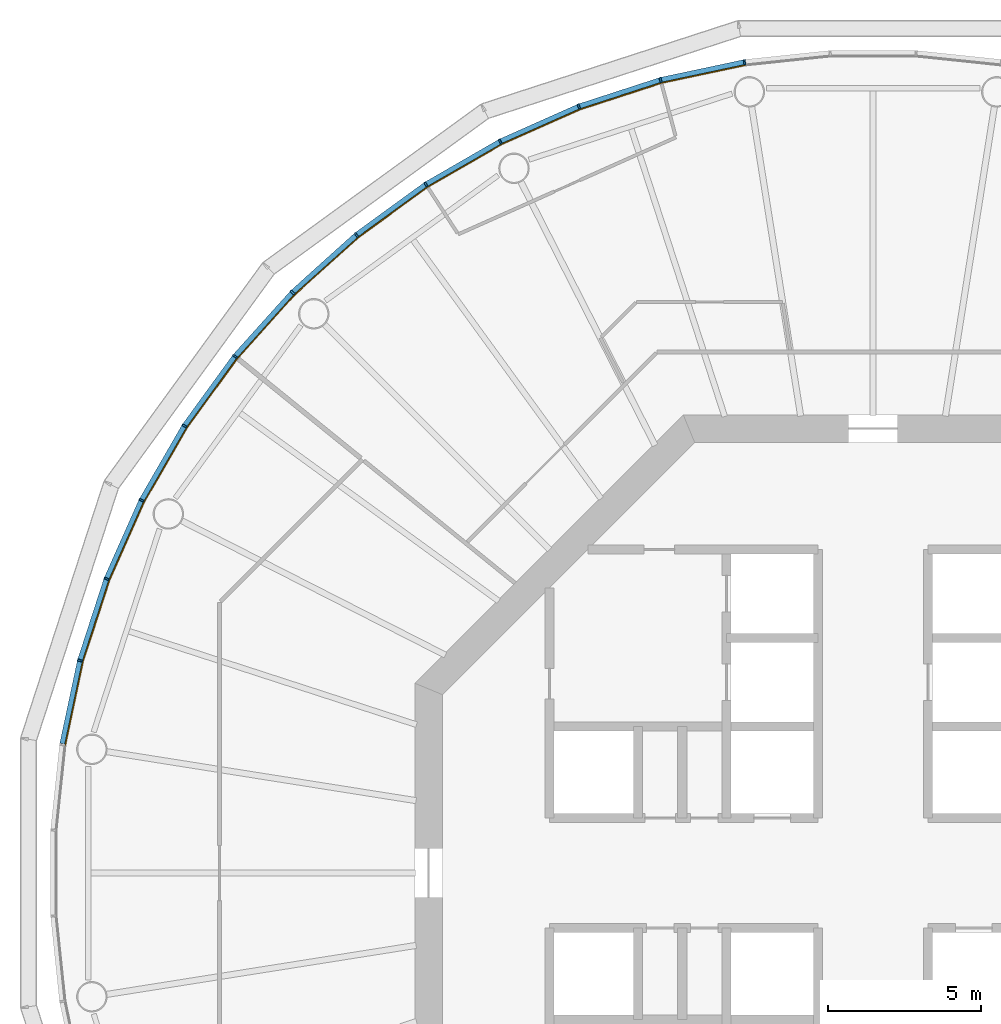
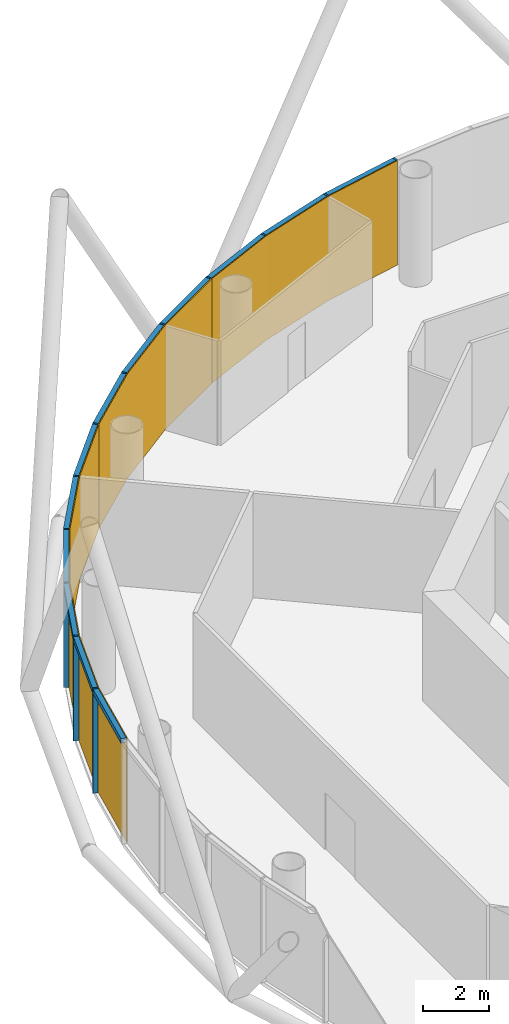
# One storey, part 9 of 12: 24 members, 4 curtain walls.
"""IFC4 building model written with IfcOpenShell, lengths in metres."""

from ifc_helpers import new_model, si_unit, direction, frame, origin, origin_2d, place, context, subcontext, project, spatial, polyline, rectangle, outline, extrude, material, layer, layer_set, material_profile, profile_set, type_object, element, aggregate, save


model = new_model("IFC4")

# Units and contexts
model_context = context("Model", 3, precision=1e-05, world=origin(), true_north=direction((0.0, 1.0)))
body_context = subcontext(model_context, "Body", "Model", "MODEL_VIEW")
ifc_project = project(units=[si_unit("LENGTHUNIT", "METRE"), si_unit("AREAUNIT", "SQUARE_METRE"), si_unit("VOLUMEUNIT", "CUBIC_METRE"), si_unit("PLANEANGLEUNIT", "RADIAN"), si_unit("MASSUNIT", "GRAM", prefix="KILO")], contexts=[model_context])

# Member
ifc_material_1 = material(Name="Anodised aluminium", Category="aluminium")
ifc_material_profile_1 = material_profile(ifc_material_1, rectangle(XDim=0.06005859375, YDim=0.169921875, at=origin_2d()), Name="Mullion 60 x 170 mm anodised aluminium")
ifc_profile_set_1 = profile_set([ifc_material_profile_1], Name="Anodised aluminium")
member_type_1 = type_object("IfcMemberType", Name="Mullion 60 x 170 mm anodised aluminium", PredefinedType="MULLION", material=ifc_profile_set_1)
site_placement = place(None, origin())
building_placement = place(site_placement, origin())
storey_placement = place(building_placement, frame((0.0, 0.0, 206.0)))
member_1_placement = place(storey_placement, frame((85.794189453125, 106.553955078125, 0.0), z_axis=(0.0, 0.0, 1.0), x_axis=(-0.987688340595, -0.15643446504, 0.0)))
member_1 = element("IfcMember", 1, at=member_1_placement, type_object=member_type_1, Name="MULLION L47-15", PredefinedType="MULLION", context=body_context, shape_type="SweptSolid", body=[
    extrude(rectangle(XDim=0.06005859375, YDim=0.169921875, at=origin_2d()), origin(), (0.0, 0.0, 1.0), 3.85009765625),
])

member_2_placement = place(storey_placement, frame((83.041748046875, 105.968994140625, 0.0), z_axis=(0.0, 0.0, 1.0), x_axis=(-0.965925826289, -0.258819045103, 0.0)))
member_2 = element("IfcMember", 2, at=member_2_placement, type_object=member_type_1, Name="MULLION L47-16", PredefinedType="MULLION", context=body_context, shape_type="SweptSolid", body=[
    extrude(rectangle(XDim=0.06005859375, YDim=0.169921875, at=origin_2d()), origin(), (0.0, 0.0, 1.0), 3.85009765625),
])

member_3_placement = place(storey_placement, frame((80.365234375, 105.099365234375, 0.0), z_axis=(0.0, 0.0, 1.0), x_axis=(-0.933580426497, -0.358367949545, 0.0)))
member_3 = element("IfcMember", 3, at=member_3_placement, type_object=member_type_1, Name="MULLION L47-17", PredefinedType="MULLION", context=body_context, shape_type="SweptSolid", body=[
    extrude(rectangle(XDim=0.06005859375, YDim=0.169921875, at=origin_2d()), origin(), (0.0, 0.0, 1.0), 3.85009765625),
])

member_4_placement = place(storey_placement, frame((77.79443359375, 103.95458984375, 0.0), z_axis=(0.0, 0.0, 1.0), x_axis=(-0.891006524188, -0.45399049974, 0.0)))
member_4 = element("IfcMember", 4, at=member_4_placement, type_object=member_type_1, Name="MULLION L47-18", PredefinedType="MULLION", context=body_context, shape_type="SweptSolid", body=[
    extrude(rectangle(XDim=0.06005859375, YDim=0.169921875, at=origin_2d()), origin(), (0.0, 0.0, 1.0), 3.85009765625),
])

member_5_placement = place(storey_placement, frame((75.357421875, 102.547607421875, 0.0), z_axis=(0.0, 0.0, 1.0), x_axis=(-0.838670567945, -0.544639035015, 0.0)))
member_5 = element("IfcMember", 5, at=member_5_placement, type_object=member_type_1, Name="MULLION L47-19", PredefinedType="MULLION", context=body_context, shape_type="SweptSolid", body=[
    extrude(rectangle(XDim=0.06005859375, YDim=0.169921875, at=origin_2d()), origin(), (0.0, 0.0, 1.0), 3.85009765625),
])

member_6_placement = place(storey_placement, frame((73.080810546875, 100.8935546875, 0.0), z_axis=(0.0, 0.0, 1.0), x_axis=(-0.777145961457, -0.62932039105, 0.0)))
member_6 = element("IfcMember", 6, at=member_6_placement, type_object=member_type_1, Name="MULLION L47-20", PredefinedType="MULLION", context=body_context, shape_type="SweptSolid", body=[
    extrude(rectangle(XDim=0.06005859375, YDim=0.169921875, at=origin_2d()), origin(), (0.0, 0.0, 1.0), 3.85009765625),
])

member_7_placement = place(storey_placement, frame((70.989501953125, 99.010498046875, 0.0), z_axis=(0.0, 0.0, 1.0), x_axis=(-0.707106781187, -0.707106781187, 0.0)))
member_7 = element("IfcMember", 7, at=member_7_placement, type_object=member_type_1, Name="MULLION L47-21", PredefinedType="MULLION", context=body_context, shape_type="SweptSolid", body=[
    extrude(rectangle(XDim=0.06005859375, YDim=0.169921875, at=origin_2d()), origin(), (0.0, 0.0, 1.0), 3.85009765625),
])

member_8_placement = place(storey_placement, frame((69.1064453125, 96.919189453125, 0.0), z_axis=(0.0, 0.0, 1.0), x_axis=(-0.62932039105, -0.777145961457, 0.0)))
member_8 = element("IfcMember", 8, at=member_8_placement, type_object=member_type_1, Name="MULLION L47-22", PredefinedType="MULLION", context=body_context, shape_type="SweptSolid", body=[
    extrude(rectangle(XDim=0.06005859375, YDim=0.169921875, at=origin_2d()), origin(), (0.0, 0.0, 1.0), 3.85009765625),
])

member_9_placement = place(storey_placement, frame((67.452392578125, 94.642578125, 0.0), z_axis=(0.0, 0.0, 1.0), x_axis=(-0.544639035015, -0.838670567945, 0.0)))
member_9 = element("IfcMember", 9, at=member_9_placement, type_object=member_type_1, Name="MULLION L47-23", PredefinedType="MULLION", context=body_context, shape_type="SweptSolid", body=[
    extrude(rectangle(XDim=0.06005859375, YDim=0.169921875, at=origin_2d()), origin(), (0.0, 0.0, 1.0), 3.85009765625),
])

member_10_placement = place(storey_placement, frame((66.04541015625, 92.20556640625, 0.0), z_axis=(0.0, 0.0, 1.0), x_axis=(-0.45399049974, -0.891006524188, 0.0)))
member_10 = element("IfcMember", 10, at=member_10_placement, type_object=member_type_1, Name="MULLION L47-24", PredefinedType="MULLION", context=body_context, shape_type="SweptSolid", body=[
    extrude(rectangle(XDim=0.06005859375, YDim=0.169921875, at=origin_2d()), origin(), (0.0, 0.0, 1.0), 3.85009765625),
])

member_11_placement = place(storey_placement, frame((64.900634765625, 89.634765625, 0.0), z_axis=(0.0, 0.0, 1.0), x_axis=(-0.358367949545, -0.933580426497, 0.0)))
member_11 = element("IfcMember", 11, at=member_11_placement, type_object=member_type_1, Name="MULLION L47-25", PredefinedType="MULLION", context=body_context, shape_type="SweptSolid", body=[
    extrude(rectangle(XDim=0.06005859375, YDim=0.169921875, at=origin_2d()), origin(), (0.0, 0.0, 1.0), 3.85009765625),
])

member_12_placement = place(storey_placement, frame((64.031005859375, 86.958251953125, 0.0), z_axis=(0.0, 0.0, 1.0), x_axis=(-0.258819045103, -0.965925826289, 0.0)))
member_12 = element("IfcMember", 12, at=member_12_placement, type_object=member_type_1, Name="MULLION L47-26", PredefinedType="MULLION", context=body_context, shape_type="SweptSolid", body=[
    extrude(rectangle(XDim=0.06005859375, YDim=0.169921875, at=origin_2d()), origin(), (0.0, 0.0, 1.0), 3.85009765625),
])

ifc_material_2 = material(Name="Anodised aluminium", Category="aluminium")
ifc_material_profile_2 = material_profile(ifc_material_2, rectangle(XDim=0.169921875, YDim=0.1650390625, at=origin_2d()), Name="Transom 165 x 170 mm anodised aluminium")
ifc_profile_set_2 = profile_set([ifc_material_profile_2], Name="Anodised aluminium")
member_type_2 = type_object("IfcMemberType", Name="Transom 165 x 170 mm anodised aluminium", PredefinedType="USERDEFINED", material=ifc_profile_set_2)
member_13_placement = place(storey_placement, frame((85.760498046875, 106.546875, 3.767578125), z_axis=(-0.97814212115, -0.207937468562, 0.0), x_axis=(0.207937468562, -0.97814212115, 0.0)))
member_13 = element("IfcMember", 13, at=member_13_placement, type_object=member_type_2, Name="TRANSOM L47-15", ObjectType="TRANSOM", PredefinedType="USERDEFINED", context=body_context, shape_type="SweptSolid", body=[
    extrude(rectangle(XDim=0.169921875, YDim=0.1650390625, at=origin_2d()), origin(), (0.0, 0.0, 1.0), 2.7451171875),
])

member_14_placement = place(storey_placement, frame((83.0087890625, 105.95849609375, 3.767578125), z_axis=(-0.951048445774, -0.309041831781, 0.0), x_axis=(0.309041831781, -0.951048445774, 0.0)))
member_14 = element("IfcMember", 14, at=member_14_placement, type_object=member_type_2, Name="TRANSOM L47-16", ObjectType="TRANSOM", PredefinedType="USERDEFINED", context=body_context, shape_type="SweptSolid", body=[
    extrude(rectangle(XDim=0.169921875, YDim=0.1650390625, at=origin_2d()), origin(), (0.0, 0.0, 1.0), 2.7451171875),
])

member_15_placement = place(storey_placement, frame((80.333740234375, 105.08544921875, 3.767578125), z_axis=(-0.913525267704, -0.406781987391, 0.0), x_axis=(0.406781987391, -0.913525267704, 0.0)))
member_15 = element("IfcMember", 15, at=member_15_placement, type_object=member_type_2, Name="TRANSOM L47-17", ObjectType="TRANSOM", PredefinedType="USERDEFINED", context=body_context, shape_type="SweptSolid", body=[
    extrude(rectangle(XDim=0.169921875, YDim=0.1650390625, at=origin_2d()), origin(), (0.0, 0.0, 1.0), 2.7451171875),
])

member_16_placement = place(storey_placement, frame((77.7646484375, 103.9375, 3.767578125), z_axis=(-0.866034527326, -0.49998419723, 0.0), x_axis=(0.49998419723, -0.866034527326, 0.0)))
member_16 = element("IfcMember", 16, at=member_16_placement, type_object=member_type_2, Name="TRANSOM L47-18", ObjectType="TRANSOM", PredefinedType="USERDEFINED", context=body_context, shape_type="SweptSolid", body=[
    extrude(rectangle(XDim=0.169921875, YDim=0.1650390625, at=origin_2d()), origin(), (0.0, 0.0, 1.0), 2.7451171875),
])

member_17_placement = place(storey_placement, frame((75.329345703125, 102.527587890625, 3.767578125), z_axis=(-0.808959086484, -0.587864947412, 0.0), x_axis=(0.587864947412, -0.808959086484, 0.0)))
member_17 = element("IfcMember", 17, at=member_17_placement, type_object=member_type_2, Name="TRANSOM L47-19", ObjectType="TRANSOM", PredefinedType="USERDEFINED", context=body_context, shape_type="SweptSolid", body=[
    extrude(rectangle(XDim=0.169921875, YDim=0.1650390625, at=origin_2d()), origin(), (0.0, 0.0, 1.0), 2.7451171875),
])

member_18_placement = place(storey_placement, frame((73.054931640625, 100.87060546875, 3.767578125), z_axis=(-0.743134927907, -0.669141598561, 0.0), x_axis=(0.669141598561, -0.743134927907, 0.0)))
member_18 = element("IfcMember", 18, at=member_18_placement, type_object=member_type_2, Name="TRANSOM L47-20", ObjectType="TRANSOM", PredefinedType="USERDEFINED", context=body_context, shape_type="SweptSolid", body=[
    extrude(rectangle(XDim=0.169921875, YDim=0.1650390625, at=origin_2d()), origin(), (0.0, 0.0, 1.0), 2.7451171875),
])

member_19_placement = place(storey_placement, frame((70.96630859375, 98.985107421875, 3.767578125), z_axis=(-0.669141598561, -0.743134927907, 0.0), x_axis=(0.743134927907, -0.669141598561, 0.0)))
member_19 = element("IfcMember", 19, at=member_19_placement, type_object=member_type_2, Name="TRANSOM L47-21", ObjectType="TRANSOM", PredefinedType="USERDEFINED", context=body_context, shape_type="SweptSolid", body=[
    extrude(rectangle(XDim=0.169921875, YDim=0.1650390625, at=origin_2d()), origin(), (0.0, 0.0, 1.0), 2.7451171875),
])

member_20_placement = place(storey_placement, frame((69.086181640625, 96.891357421875, 3.767578125), z_axis=(-0.587864947412, -0.808959086484, 0.0), x_axis=(0.808959086484, -0.587864947412, 0.0)))
member_20 = element("IfcMember", 20, at=member_20_placement, type_object=member_type_2, Name="TRANSOM L47-22", ObjectType="TRANSOM", PredefinedType="USERDEFINED", context=body_context, shape_type="SweptSolid", body=[
    extrude(rectangle(XDim=0.169921875, YDim=0.1650390625, at=origin_2d()), origin(), (0.0, 0.0, 1.0), 2.7451171875),
])

member_21_placement = place(storey_placement, frame((67.43505859375, 94.61279296875, 3.767578125), z_axis=(-0.49998419723, -0.866034527326, 0.0), x_axis=(0.866034527326, -0.49998419723, 0.0)))
member_21 = element("IfcMember", 21, at=member_21_placement, type_object=member_type_2, Name="TRANSOM L47-23", ObjectType="TRANSOM", PredefinedType="USERDEFINED", context=body_context, shape_type="SweptSolid", body=[
    extrude(rectangle(XDim=0.169921875, YDim=0.1650390625, at=origin_2d()), origin(), (0.0, 0.0, 1.0), 2.7451171875),
])

member_22_placement = place(storey_placement, frame((66.03125, 92.174072265625, 3.767578125), z_axis=(-0.406781987391, -0.913525267704, 0.0), x_axis=(0.913525267704, -0.406781987391, 0.0)))
member_22 = element("IfcMember", 22, at=member_22_placement, type_object=member_type_2, Name="TRANSOM L47-24", ObjectType="TRANSOM", PredefinedType="USERDEFINED", context=body_context, shape_type="SweptSolid", body=[
    extrude(rectangle(XDim=0.169921875, YDim=0.1650390625, at=origin_2d()), origin(), (0.0, 0.0, 1.0), 2.7451171875),
])

member_23_placement = place(storey_placement, frame((64.889892578125, 89.60205078125, 3.767578125), z_axis=(-0.309041831781, -0.951048445774, 0.0), x_axis=(0.951048445774, -0.309041831781, 0.0)))
member_23 = element("IfcMember", 23, at=member_23_placement, type_object=member_type_2, Name="TRANSOM L47-25", ObjectType="TRANSOM", PredefinedType="USERDEFINED", context=body_context, shape_type="SweptSolid", body=[
    extrude(rectangle(XDim=0.169921875, YDim=0.1650390625, at=origin_2d()), origin(), (0.0, 0.0, 1.0), 2.7451171875),
])

member_24_placement = place(storey_placement, frame((64.02392578125, 86.924560546875, 3.767578125), z_axis=(-0.207937468562, -0.97814212115, 0.0), x_axis=(0.97814212115, -0.207937468562, 0.0)))
member_24 = element("IfcMember", 24, at=member_24_placement, type_object=member_type_2, Name="TRANSOM L47-26", ObjectType="TRANSOM", PredefinedType="USERDEFINED", context=body_context, shape_type="SweptSolid", body=[
    extrude(rectangle(XDim=0.169921875, YDim=0.1650390625, at=origin_2d()), origin(), (0.0, 0.0, 1.0), 2.7451171875),
])

# Site, building, storey
site = spatial("IfcSite", under=ifc_project, at=site_placement, CompositionType="ELEMENT")
building = spatial("IfcBuilding", under=site, at=building_placement, Name="Entoto Ring Tower", CompositionType="ELEMENT")
storey = spatial("IfcBuildingStorey", under=building, at=storey_placement, Name="L47", CompositionType="ELEMENT", Elevation=206.0)

# Curtain wall
ifc_material_3 = material(Name="Clear low-iron glass", Category="glass")
ifc_layer = layer(ifc_material_3, 0.031982421875)
ifc_layer_set = layer_set([ifc_layer], Name="Clear low-iron glass")
curtain_wall_type = type_object("IfcCurtainWallType", Name="Curtain wall system CW4 glazing 32 mm", PredefinedType="NOTDEFINED", material=ifc_layer_set)
curtain_wall_1_placement = place(storey_placement, origin())
curtain_wall_1 = element("IfcCurtainWall", 25, at=curtain_wall_1_placement, inside=storey, type_object=curtain_wall_type, Name="CW4 L47-06", PredefinedType="NOTDEFINED", context=body_context, shape_type="SweptSolid", body=[
    extrude(outline(polyline([(85.8076171875, 106.469970703125), (83.063720703125, 105.88671875), (80.395751953125, 105.02001953125), (77.8330078125, 103.87890625), (77.84765625, 103.850341796875), (80.4072265625, 104.989990234375), (83.072021484375, 105.85595703125), (85.8125, 106.4384765625), (85.8076171875, 106.469970703125)])), origin(), (0.0, 0.0, 1.0), 3.85009765625),
])

aggregate(curtain_wall_1, [member_1, member_2, member_3, member_13, member_14, member_15])

curtain_wall_2_placement = place(storey_placement, origin())
curtain_wall_2 = element("IfcCurtainWall", 26, at=curtain_wall_2_placement, inside=storey, type_object=curtain_wall_type, Name="CW4 L47-07", PredefinedType="NOTDEFINED", context=body_context, shape_type="SweptSolid", body=[
    extrude(outline(polyline([(77.8330078125, 103.87890625), (75.403564453125, 102.476318359375), (73.13427734375, 100.827392578125), (71.049560546875, 98.950439453125), (71.072265625, 98.927734375), (73.154296875, 100.802490234375), (75.421142578125, 102.449462890625), (77.84765625, 103.850341796875), (77.8330078125, 103.87890625)])), origin(), (0.0, 0.0, 1.0), 3.85009765625),
])

aggregate(curtain_wall_2, [member_4, member_5, member_6, member_16, member_17, member_18])

curtain_wall_3_placement = place(storey_placement, origin())
curtain_wall_3 = element("IfcCurtainWall", 27, at=curtain_wall_3_placement, inside=storey, type_object=curtain_wall_type, Name="CW4 L47-08", PredefinedType="NOTDEFINED", context=body_context, shape_type="SweptSolid", body=[
    extrude(outline(polyline([(71.049560546875, 98.950439453125), (69.172607421875, 96.86572265625), (67.523681640625, 94.596435546875), (66.12109375, 92.1669921875), (66.149658203125, 92.15234375), (67.550537109375, 94.578857421875), (69.197509765625, 96.845703125), (71.072265625, 98.927734375), (71.049560546875, 98.950439453125)])), origin(), (0.0, 0.0, 1.0), 3.85009765625),
])

aggregate(curtain_wall_3, [member_7, member_8, member_9, member_19, member_20, member_21])

curtain_wall_4_placement = place(storey_placement, origin())
curtain_wall_4 = element("IfcCurtainWall", 28, at=curtain_wall_4_placement, inside=storey, type_object=curtain_wall_type, Name="CW4 L47-09", PredefinedType="NOTDEFINED", context=body_context, shape_type="SweptSolid", body=[
    extrude(outline(polyline([(66.12109375, 92.1669921875), (64.97998046875, 89.604248046875), (64.11328125, 86.936279296875), (63.530029296875, 84.1923828125), (63.5615234375, 84.1875), (64.14404296875, 86.927978515625), (65.010009765625, 89.5927734375), (66.149658203125, 92.15234375), (66.12109375, 92.1669921875)])), origin(), (0.0, 0.0, 1.0), 3.85009765625),
])

aggregate(curtain_wall_4, [member_10, member_11, member_12, member_22, member_23, member_24])

save(model, "model.ifc")
